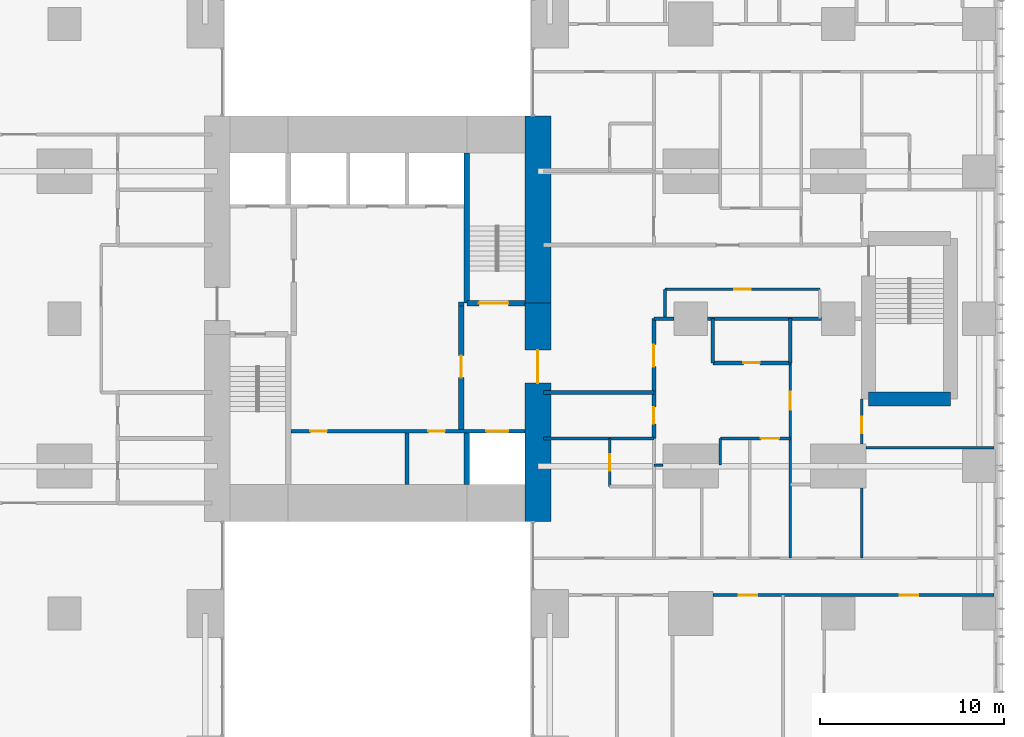
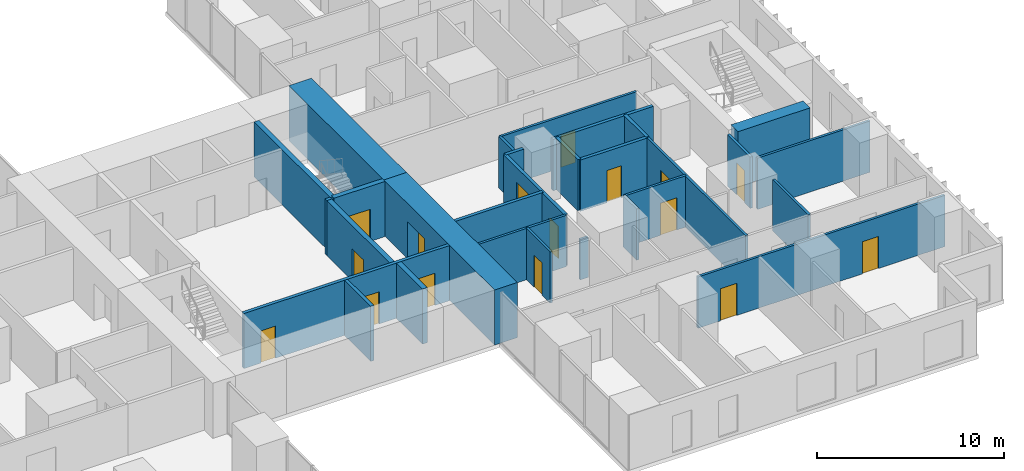
# One storey, part 12 of 16: 29 walls, 16 doors, 16 openings.
"""IFC4 building model written with IfcOpenShell, lengths in metres."""

from ifc_helpers import new_model, si_unit, direction, frame, frame_2d, origin, place, context, subcontext, project, spatial, rectangle, extrude, material, layer, layer_set, type_object, element, fill, save


model = new_model("IFC4")

# Units and contexts
model_context = context("Model", 3, precision=1e-05, world=origin(), true_north=direction((0.0, 1.0)))
body_context = subcontext(model_context, "Body", "Model", "MODEL_VIEW")
ifc_project = project(units=[si_unit("LENGTHUNIT", "METRE"), si_unit("AREAUNIT", "SQUARE_METRE"), si_unit("VOLUMEUNIT", "CUBIC_METRE"), si_unit("PLANEANGLEUNIT", "RADIAN"), si_unit("MASSUNIT", "GRAM", prefix="KILO")], contexts=[model_context])

# Site, building, storey
site_placement = place(None, origin())
site = spatial("IfcSite", under=ifc_project, at=site_placement, CompositionType="ELEMENT")
building_placement = place(site_placement, origin())
building = spatial("IfcBuilding", under=site, at=building_placement, Name="Cleftline Residences", CompositionType="ELEMENT")
storey_placement = place(building_placement, frame((0.0, 0.0, 218.199951171875)))
storey = spatial("IfcBuildingStorey", under=building, at=storey_placement, Name="L57", CompositionType="ELEMENT", Elevation=218.199951171875)

# Wall, opening, door
ifc_material_1 = material(Name="Concrete B70", Category="concrete")
ifc_layer_1 = layer(ifc_material_1, 1.39990234375)
ifc_layer_set_1 = layer_set([ifc_layer_1], Name="CORE WALL 1400")
wall_type_1 = type_object("IfcWallType", Name="CORE WALL 1400", PredefinedType="SHEAR", material=ifc_layer_set_1)
wall_1_placement = place(storey_placement, frame((41.699951171875, 13.0, 0.0), z_axis=(0.0, 0.0, 1.0), x_axis=(0.0, 1.0, 0.0)))
wall_1 = element("IfcWall", 1, at=wall_1_placement, inside=storey, type_object=wall_type_1, Name="Core wall E", PredefinedType="SHEAR", context=body_context, shape_type="SweptSolid", body=[
    extrude(rectangle(XDim=11.85009765625, YDim=1.39990234375, at=frame_2d((5.925048828125, 0.0))), origin(), (0.0, 0.0, 1.0), 3.60009765625),
])
opening_1_placement = place(wall_1_placement, frame((7.5, 0.0, 0.0)))
opening_1 = element("IfcOpeningElement", 2, at=opening_1_placement, cuts=wall_1, Name="Opening D7", PredefinedType="OPENING", context=body_context, shape_type="SweptSolid", body=[
    extrude(rectangle(XDim=1.800048828125, YDim=2.39990234375, at=frame_2d((0.89990234375, 1.199951171875))), frame((0.0, 0.7099609375, 0.0), z_axis=(0.0, -1.0, 0.0), x_axis=(1.0, 0.0, 0.0)), (0.0, 0.0, 1.0), 1.419921875),
])
ifc_material_2 = material(Name="Steel", Category="steel")
door_type_1 = type_object("IfcDoorType", Name="WING DOOR 1800X2400", OperationType="DOUBLE_DOOR_DOUBLE_SWING", PredefinedType="DOOR", material=ifc_material_2)
door_1_placement = place(opening_1_placement, origin())
door_1 = element("IfcDoor", 3, at=door_1_placement, inside=storey, type_object=door_type_1, Name="East wing door", OperationType="DOUBLE_DOOR_DOUBLE_SWING", OverallHeight=2.39990234375, OverallWidth=1.800048828125, PredefinedType="DOOR", context=body_context, shape_type="SweptSolid", body=[
    extrude(rectangle(XDim=1.800048828125, YDim=2.39990234375, at=frame_2d((0.89990234375, 1.199951171875))), frame((0.0, 0.02490234375, 0.0), z_axis=(0.0, -1.0, 0.0), x_axis=(1.0, 0.0, 0.0)), (0.0, 0.0, 1.0), 0.050048828125),
])
fill(opening_1, door_1)

# Walls
wall_2_placement = place(storey_placement, frame((41.699951171875, 24.85009765625, 0.0), z_axis=(0.0, 0.0, 1.0), x_axis=(0.0, 1.0, 0.0)))
element("IfcWall", 4, at=wall_2_placement, inside=storey, type_object=wall_type_1, Name="Core wall E1", PredefinedType="SHEAR", context=body_context, shape_type="SweptSolid", body=[
    extrude(rectangle(XDim=10.14990234375, YDim=1.39990234375, at=frame_2d((5.074951171875, 0.0))), origin(), (0.0, 0.0, 1.0), 3.60009765625),
])
ifc_material_3 = material(Name="Concrete B70", Category="concrete")
ifc_layer_2 = layer(ifc_material_3, 0.300048828125)
ifc_layer_set_2 = layer_set([ifc_layer_2], Name="CORE WALL 300")
wall_type_2 = type_object("IfcWallType", Name="CORE WALL 300", PredefinedType="SHEAR", material=ifc_layer_set_2)
wall_3_placement = place(storey_placement, frame((37.85009765625, 24.85009765625, 0.0), z_axis=(0.0, 0.0, 1.0), x_axis=(0.0, 1.0, 0.0)))
element("IfcWall", 5, at=wall_3_placement, inside=storey, type_object=wall_type_2, Name="Core wall SB-W", PredefinedType="SHEAR", context=body_context, shape_type="SweptSolid", body=[
    extrude(rectangle(XDim=8.14990234375, YDim=0.300048828125, at=frame_2d((4.074951171875, 0.0))), origin(), (0.0, 0.0, 1.0), 3.60009765625),
])

# Wall, opening, door
wall_4_placement = place(storey_placement, frame((37.85009765625, 24.85009765625, 0.0), z_axis=(0.0, 0.0, 1.0), x_axis=(1.0, 0.0, 0.0)))
wall_4 = element("IfcWall", 6, at=wall_4_placement, inside=storey, type_object=wall_type_2, Name="Core wall SB-S", PredefinedType="SHEAR", context=body_context, shape_type="SweptSolid", body=[
    extrude(rectangle(XDim=3.14990234375, YDim=0.300048828125, at=frame_2d((1.574951171875, 0.0))), origin(), (0.0, 0.0, 1.0), 3.60009765625),
])
opening_2_placement = place(wall_4_placement, frame((0.64990234375, 0.0, 0.0)))
opening_2 = element("IfcOpeningElement", 7, at=opening_2_placement, cuts=wall_4, Name="Opening D9", PredefinedType="OPENING", context=body_context, shape_type="SweptSolid", body=[
    extrude(rectangle(XDim=1.60009765625, YDim=2.10009765625, at=frame_2d((0.800048828125, 1.050048828125))), frame((0.0, 0.159912109375, 0.0), z_axis=(0.0, -1.0, 0.0), x_axis=(1.0, 0.0, 0.0)), (0.0, 0.0, 1.0), 0.320068359375),
])
ifc_material_4 = material(Name="Steel", Category="steel")
door_type_2 = type_object("IfcDoorType", Name="STAIR DOOR 1600X2100", OperationType="DOUBLE_DOOR_SINGLE_SWING", PredefinedType="DOOR", material=ifc_material_4)
door_2_placement = place(opening_2_placement, origin())
door_2 = element("IfcDoor", 8, at=door_2_placement, inside=storey, type_object=door_type_2, Name="Stair B door", OperationType="DOUBLE_DOOR_SINGLE_SWING", OverallHeight=2.10009765625, OverallWidth=1.60009765625, PredefinedType="DOOR", context=body_context, shape_type="SweptSolid", body=[
    extrude(rectangle(XDim=1.60009765625, YDim=2.10009765625, at=frame_2d((0.800048828125, 1.050048828125))), frame((0.0, 0.02490234375, 0.0), z_axis=(0.0, -1.0, 0.0), x_axis=(1.0, 0.0, 0.0)), (0.0, 0.0, 1.0), 0.050048828125),
])
fill(opening_2, door_2)

# Walls
wall_5_placement = place(storey_placement, frame((37.85009765625, 15.0, 0.0), z_axis=(0.0, 0.0, 1.0), x_axis=(0.0, 1.0, 0.0)))
element("IfcWall", 9, at=wall_5_placement, inside=storey, type_object=wall_type_2, Name="Lift shaft wall", PredefinedType="SHEAR", context=body_context, shape_type="SweptSolid", body=[
    extrude(rectangle(XDim=2.800048828125, YDim=0.300048828125, at=frame_2d((1.39990234375, 0.0))), origin(), (0.0, 0.0, 1.0), 3.60009765625),
])
ifc_material_5 = material(Name="Concrete blockwork, fire rated", Category="masonry")
ifc_layer_3 = layer(ifc_material_5, 0.199951171875)
ifc_layer_set_3 = layer_set([ifc_layer_3], Name="FIRE WALL 200")
wall_type_3 = type_object("IfcWallType", Name="FIRE WALL 200", PredefinedType="PARTITIONING", material=ifc_layer_set_3)
wall_6_placement = place(storey_placement, frame((42.0, 20.0, 0.0), z_axis=(0.0, 0.0, 1.0), x_axis=(1.0, 0.0, 0.0)))
element("IfcWall", 10, at=wall_6_placement, inside=storey, type_object=wall_type_3, Name="Fire separating wall", PredefinedType="PARTITIONING", context=body_context, shape_type="SweptSolid", body=[
    extrude(rectangle(XDim=6.0, YDim=0.199951171875, at=frame_2d((3.0, 0.0))), origin(), (0.0, 0.0, 1.0), 3.35009765625),
])

# Wall, opening, door
wall_7_placement = place(storey_placement, frame((51.199951171875, 21.60009765625, 0.0), z_axis=(0.0, 0.0, 1.0), x_axis=(1.0, 0.0, 0.0)))
wall_7 = element("IfcWall", 11, at=wall_7_placement, inside=storey, type_object=wall_type_3, Name="Fire separating wall", PredefinedType="PARTITIONING", context=body_context, shape_type="SweptSolid", body=[
    extrude(rectangle(XDim=4.199951171875, YDim=0.199951171875, at=frame_2d((2.10009765625, 0.0))), origin(), (0.0, 0.0, 1.0), 3.35009765625),
])
opening_3_placement = place(wall_7_placement, frame((1.64990234375, 0.0, 0.0)))
opening_3 = element("IfcOpeningElement", 12, at=opening_3_placement, cuts=wall_7, Name="Opening D1F30", PredefinedType="OPENING", context=body_context, shape_type="SweptSolid", body=[
    extrude(rectangle(XDim=0.89990234375, YDim=2.10009765625, at=frame_2d((0.449951171875, 1.050048828125))), frame((0.0, 0.10986328125, 0.0), z_axis=(0.0, -1.0, 0.0), x_axis=(1.0, 0.0, 0.0)), (0.0, 0.0, 1.0), 0.219970703125),
])
ifc_material_6 = material(Name="Timber veneer on solid core", Category="wood")
door_type_3 = type_object("IfcDoorType", Name="DOOR 900X2100 EI 30", OperationType="SINGLE_SWING_LEFT", PredefinedType="DOOR", material=ifc_material_6)
door_3_placement = place(opening_3_placement, origin())
door_3 = element("IfcDoor", 13, at=door_3_placement, inside=storey, type_object=door_type_3, Name="Door to cloakroom wc", OperationType="SINGLE_SWING_LEFT", OverallHeight=2.10009765625, OverallWidth=0.89990234375, PredefinedType="DOOR", context=body_context, shape_type="SweptSolid", body=[
    extrude(rectangle(XDim=0.89990234375, YDim=2.10009765625, at=frame_2d((0.449951171875, 1.050048828125))), frame((0.0, 0.02490234375, 0.0), z_axis=(0.0, -1.0, 0.0), x_axis=(1.0, 0.0, 0.0)), (0.0, 0.0, 1.0), 0.050048828125),
])
fill(opening_3, door_3)

# Walls
wall_8_placement = place(storey_placement, frame((48.0, 24.0, 0.0), z_axis=(0.0, 0.0, 1.0), x_axis=(1.0, 0.0, 0.0)))
element("IfcWall", 14, at=wall_8_placement, inside=storey, type_object=wall_type_3, Name="Fire separating wall", PredefinedType="PARTITIONING", context=body_context, shape_type="SweptSolid", body=[
    extrude(rectangle(XDim=1.10009765625, YDim=0.199951171875, at=frame_2d((0.550048828125, 0.0))), origin(), (0.0, 0.0, 1.0), 3.35009765625),
])
wall_9_placement = place(storey_placement, frame((50.89990234375, 24.0, 0.0), z_axis=(0.0, 0.0, 1.0), x_axis=(1.0, 0.0, 0.0)))
element("IfcWall", 15, at=wall_9_placement, inside=storey, type_object=wall_type_3, Name="Fire separating wall", PredefinedType="PARTITIONING", context=body_context, shape_type="SweptSolid", body=[
    extrude(rectangle(XDim=6.2001953125, YDim=0.199951171875, at=frame_2d((3.10009765625, 0.0))), origin(), (0.0, 0.0, 1.0), 3.35009765625),
])

# Wall, openings, doors
wall_10_placement = place(storey_placement, frame((48.0, 17.5, 0.0), z_axis=(0.0, 0.0, 1.0), x_axis=(0.0, 1.0, 0.0)))
wall_10 = element("IfcWall", 16, at=wall_10_placement, inside=storey, type_object=wall_type_3, Name="Fire separating wall", PredefinedType="PARTITIONING", context=body_context, shape_type="SweptSolid", body=[
    extrude(rectangle(XDim=6.5, YDim=0.199951171875, at=frame_2d((3.25, 0.0))), origin(), (0.0, 0.0, 1.0), 3.35009765625),
])
opening_4_placement = place(wall_10_placement, frame((3.89990234375, 0.0, 0.0)))
opening_4 = element("IfcOpeningElement", 17, at=opening_4_placement, cuts=wall_10, Name="Opening D4", PredefinedType="OPENING", context=body_context, shape_type="SweptSolid", body=[
    extrude(rectangle(XDim=1.199951171875, YDim=2.39990234375, at=frame_2d((0.60009765625, 1.199951171875))), frame((0.0, 0.10986328125, 0.0), z_axis=(0.0, -1.0, 0.0), x_axis=(1.0, 0.0, 0.0)), (0.0, 0.0, 1.0), 0.219970703125),
])
opening_5_placement = place(wall_10_placement, frame((0.800048828125, 0.0, 0.0)))
opening_5 = element("IfcOpeningElement", 18, at=opening_5_placement, cuts=wall_10, Name="Opening D1F30", PredefinedType="OPENING", context=body_context, shape_type="SweptSolid", body=[
    extrude(rectangle(XDim=0.89990234375, YDim=2.10009765625, at=frame_2d((0.449951171875, 1.050048828125))), frame((0.0, 0.10986328125, 0.0), z_axis=(0.0, -1.0, 0.0), x_axis=(1.0, 0.0, 0.0)), (0.0, 0.0, 1.0), 0.219970703125),
])
ifc_material_7 = material(Name="Timber veneer on solid core", Category="wood")
door_type_4 = type_object("IfcDoorType", Name="APARTMENT ENTRANCE DOOR 1200X2400", OperationType="SINGLE_SWING_RIGHT", PredefinedType="DOOR", material=ifc_material_7)
door_4_placement = place(opening_4_placement, origin())
door_4 = element("IfcDoor", 19, at=door_4_placement, inside=storey, type_object=door_type_4, Name="Door to residence entrance foyer", OperationType="SINGLE_SWING_LEFT", OverallHeight=2.39990234375, OverallWidth=1.199951171875, PredefinedType="DOOR", context=body_context, shape_type="SweptSolid", body=[
    extrude(rectangle(XDim=1.199951171875, YDim=2.39990234375, at=frame_2d((0.60009765625, 1.199951171875))), frame((0.0, 0.02490234375, 0.0), z_axis=(0.0, -1.0, 0.0), x_axis=(1.0, 0.0, 0.0)), (0.0, 0.0, 1.0), 0.050048828125),
])
fill(opening_4, door_4)
door_5_placement = place(opening_5_placement, origin())
door_5 = element("IfcDoor", 20, at=door_5_placement, inside=storey, type_object=door_type_3, Name="Door to utility room", OperationType="SINGLE_SWING_RIGHT", OverallHeight=2.10009765625, OverallWidth=0.89990234375, PredefinedType="DOOR", context=body_context, shape_type="SweptSolid", body=[
    extrude(rectangle(XDim=0.89990234375, YDim=2.10009765625, at=frame_2d((0.449951171875, 1.050048828125))), frame((0.0, 0.02490234375, 0.0), z_axis=(0.0, -1.0, 0.0), x_axis=(1.0, 0.0, 0.0)), (0.0, 0.0, 1.0), 0.050048828125),
])
fill(opening_5, door_5)

# Walls
for number, where, z_axis, x_axis, name in (
    (21, (51.199951171875, 21.60009765625, 0.0), (0.0, 0.0, 1.0), (0.0, 1.0, 0.0), "Fire separating wall"),
    (22, (55.39990234375, 21.60009765625, 0.0), (0.0, 0.0, 1.0), (0.0, 1.0, 0.0), "Fire separating wall"),
):
    element("IfcWall", number, at=place(storey_placement, frame(where, z_axis=z_axis, x_axis=x_axis)), inside=storey, type_object=wall_type_3, Name=name, PredefinedType="PARTITIONING", context=body_context, shape_type="SweptSolid", body=[
        extrude(rectangle(XDim=2.39990234375, YDim=0.199951171875, at=frame_2d((1.199951171875, 0.0))), origin(), (0.0, 0.0, 1.0), 3.35009765625),
    ])
wall_11_placement = place(storey_placement, frame((37.39990234375, 24.800048828125, 0.0), z_axis=(0.0, 0.0, 1.0), x_axis=(1.0, 0.0, 0.0)))
element("IfcWall", 23, at=wall_11_placement, inside=storey, type_object=wall_type_3, Name="Fire separating wall", PredefinedType="PARTITIONING", context=body_context, shape_type="SweptSolid", body=[
    extrude(rectangle(XDim=0.300048828125, YDim=0.199951171875, at=frame_2d((0.14990234375, 0.0))), origin(), (0.0, 0.0, 1.0), 3.60009765625),
])

# Wall, openings, doors
ifc_material_8 = material(Name="Gypsum board on steel studs", Category="steel")
ifc_layer_4 = layer(ifc_material_8, 0.14990234375)
ifc_layer_set_4 = layer_set([ifc_layer_4], Name="PARTITION 150")
wall_type_4 = type_object("IfcWallType", Name="PARTITION 150", PredefinedType="PARTITIONING", material=ifc_layer_set_4)
wall_12_placement = place(storey_placement, frame((51.199951171875, 9.0, 0.0), z_axis=(0.0, 0.0, 1.0), x_axis=(1.0, 0.0, 0.0)))
wall_12 = element("IfcWall", 24, at=wall_12_placement, inside=storey, type_object=wall_type_4, Name="Partition", PredefinedType="PARTITIONING", context=body_context, shape_type="SweptSolid", body=[
    extrude(rectangle(XDim=15.25, YDim=0.14990234375, at=frame_2d((7.625, 0.0))), origin(), (0.0, 0.0, 1.0), 3.35009765625),
])
opening_6_placement = place(wall_12_placement, frame((10.14990234375, 0.0, 0.0)))
opening_6 = element("IfcOpeningElement", 25, at=opening_6_placement, cuts=wall_12, Name="Opening D2", PredefinedType="OPENING", context=body_context, shape_type="SweptSolid", body=[
    extrude(rectangle(XDim=1.0, YDim=2.10009765625, at=frame_2d((0.5, 1.050048828125))), frame((0.0, 0.0849609375, 0.0), z_axis=(0.0, -1.0, 0.0), x_axis=(1.0, 0.0, 0.0)), (0.0, 0.0, 1.0), 0.169921875),
])
opening_7_placement = place(wall_12_placement, frame((1.39990234375, 0.0, 0.0)))
opening_7 = element("IfcOpeningElement", 26, at=opening_7_placement, cuts=wall_12, Name="Opening D2", PredefinedType="OPENING", context=body_context, shape_type="SweptSolid", body=[
    extrude(rectangle(XDim=1.0, YDim=2.10009765625, at=frame_2d((0.5, 1.050048828125))), frame((0.0, 0.0849609375, 0.0), z_axis=(0.0, -1.0, 0.0), x_axis=(1.0, 0.0, 0.0)), (0.0, 0.0, 1.0), 0.169921875),
])
ifc_material_9 = material(Name="Timber veneer on solid core", Category="wood")
door_type_5 = type_object("IfcDoorType", Name="DOOR 1000X2100", OperationType="SINGLE_SWING_LEFT", PredefinedType="DOOR", material=ifc_material_9)
door_6_placement = place(opening_6_placement, origin())
door_6 = element("IfcDoor", 27, at=door_6_placement, inside=storey, type_object=door_type_5, Name="Door to sea-view living room", OperationType="SINGLE_SWING_LEFT", OverallHeight=2.10009765625, OverallWidth=1.0, PredefinedType="DOOR", context=body_context, shape_type="SweptSolid", body=[
    extrude(rectangle(XDim=1.0, YDim=2.10009765625, at=frame_2d((0.5, 1.050048828125))), frame((0.0, 0.02490234375, 0.0), z_axis=(0.0, -1.0, 0.0), x_axis=(1.0, 0.0, 0.0)), (0.0, 0.0, 1.0), 0.050048828125),
])
fill(opening_6, door_6)
door_7_placement = place(opening_7_placement, origin())
door_7 = element("IfcDoor", 28, at=door_7_placement, inside=storey, type_object=door_type_5, Name="Door to dining room", OperationType="SINGLE_SWING_RIGHT", OverallHeight=2.10009765625, OverallWidth=1.0, PredefinedType="DOOR", context=body_context, shape_type="SweptSolid", body=[
    extrude(rectangle(XDim=1.0, YDim=2.10009765625, at=frame_2d((0.5, 1.050048828125))), frame((0.0, 0.02490234375, 0.0), z_axis=(0.0, -1.0, 0.0), x_axis=(1.0, 0.0, 0.0)), (0.0, 0.0, 1.0), 0.050048828125),
])
fill(opening_7, door_7)

# Walls
wall_13_placement = place(storey_placement, frame((48.0, 16.050048828125, 0.0), z_axis=(0.0, 0.0, 1.0), x_axis=(1.0, 0.0, 0.0)))
element("IfcWall", 29, at=wall_13_placement, inside=storey, type_object=wall_type_4, Name="Partition", PredefinedType="PARTITIONING", context=body_context, shape_type="SweptSolid", body=[
    extrude(rectangle(XDim=0.5, YDim=0.14990234375, at=frame_2d((0.25, 0.0))), origin(), (0.0, 0.0, 1.0), 2.634033203125),
])
wall_14_placement = place(storey_placement, frame((59.5, 17.0, 0.0), z_axis=(0.0, 0.0, 1.0), x_axis=(1.0, 0.0, 0.0)))
element("IfcWall", 30, at=wall_14_placement, inside=storey, type_object=wall_type_4, Name="Partition", PredefinedType="PARTITIONING", context=body_context, shape_type="SweptSolid", body=[
    extrude(rectangle(XDim=6.949951171875, YDim=0.14990234375, at=frame_2d((3.47509765625, 0.0))), origin(), (0.0, 0.0, 1.0), 3.35009765625),
])
wall_15_placement = place(storey_placement, frame((42.0, 17.5, 0.0), z_axis=(0.0, 0.0, 1.0), x_axis=(1.0, 0.0, 0.0)))
element("IfcWall", 31, at=wall_15_placement, inside=storey, type_object=wall_type_4, Name="Partition", PredefinedType="PARTITIONING", context=body_context, shape_type="SweptSolid", body=[
    extrude(rectangle(XDim=6.0, YDim=0.14990234375, at=frame_2d((3.0, 0.0))), origin(), (0.0, 0.0, 1.0), 3.35009765625),
])

# Wall, opening, door
wall_16_placement = place(storey_placement, frame((51.60009765625, 17.5, 0.0), z_axis=(0.0, 0.0, 1.0), x_axis=(1.0, 0.0, 0.0)))
wall_16 = element("IfcWall", 32, at=wall_16_placement, inside=storey, type_object=wall_type_4, Name="Partition", PredefinedType="PARTITIONING", context=body_context, shape_type="SweptSolid", body=[
    extrude(rectangle(XDim=3.7998046875, YDim=0.14990234375, at=frame_2d((1.89990234375, 0.0))), origin(), (0.0, 0.0, 1.0), 3.35009765625),
])
opening_8_placement = place(wall_16_placement, frame((2.199951171875, 0.0, 0.0)))
opening_8 = element("IfcOpeningElement", 33, at=opening_8_placement, cuts=wall_16, Name="Opening D2", PredefinedType="OPENING", context=body_context, shape_type="SweptSolid", body=[
    extrude(rectangle(XDim=1.0, YDim=2.10009765625, at=frame_2d((0.5, 1.050048828125))), frame((0.0, 0.0849609375, 0.0), z_axis=(0.0, -1.0, 0.0), x_axis=(1.0, 0.0, 0.0)), (0.0, 0.0, 1.0), 0.169921875),
])
door_8_placement = place(opening_8_placement, origin())
door_8 = element("IfcDoor", 34, at=door_8_placement, inside=storey, type_object=door_type_5, Name="Door to residence passage", OperationType="SINGLE_SWING_LEFT", OverallHeight=2.10009765625, OverallWidth=1.0, PredefinedType="DOOR", context=body_context, shape_type="SweptSolid", body=[
    extrude(rectangle(XDim=1.0, YDim=2.10009765625, at=frame_2d((0.5, 1.050048828125))), frame((0.0, 0.02490234375, 0.0), z_axis=(0.0, -1.0, 0.0), x_axis=(1.0, 0.0, 0.0)), (0.0, 0.0, 1.0), 0.050048828125),
])
fill(opening_8, door_8)

wall_17_placement = place(storey_placement, frame((48.60009765625, 25.60009765625, 0.0), z_axis=(0.0, 0.0, 1.0), x_axis=(1.0, 0.0, 0.0)))
wall_17 = element("IfcWall", 35, at=wall_17_placement, inside=storey, type_object=wall_type_4, Name="Partition", PredefinedType="PARTITIONING", context=body_context, shape_type="SweptSolid", body=[
    extrude(rectangle(XDim=8.39990234375, YDim=0.14990234375, at=frame_2d((4.199951171875, 0.0))), origin(), (0.0, 0.0, 1.0), 3.35009765625),
])
opening_9_placement = place(wall_17_placement, frame((3.75, 0.0, 0.0)))
opening_9 = element("IfcOpeningElement", 36, at=opening_9_placement, cuts=wall_17, Name="Opening D1", PredefinedType="OPENING", context=body_context, shape_type="SweptSolid", body=[
    extrude(rectangle(XDim=0.89990234375, YDim=2.10009765625, at=frame_2d((0.449951171875, 1.050048828125))), frame((0.0, 0.0849609375, 0.0), z_axis=(0.0, -1.0, 0.0), x_axis=(1.0, 0.0, 0.0)), (0.0, 0.0, 1.0), 0.169921875),
])
ifc_material_10 = material(Name="Timber veneer on solid core", Category="wood")
door_type_6 = type_object("IfcDoorType", Name="DOOR 900X2100", OperationType="SINGLE_SWING_LEFT", PredefinedType="DOOR", material=ifc_material_10)
door_9_placement = place(opening_9_placement, origin())
door_9 = element("IfcDoor", 37, at=door_9_placement, inside=storey, type_object=door_type_6, Name="Door to residents' locker room", OperationType="SINGLE_SWING_LEFT", OverallHeight=2.10009765625, OverallWidth=0.89990234375, PredefinedType="DOOR", context=body_context, shape_type="SweptSolid", body=[
    extrude(rectangle(XDim=0.89990234375, YDim=2.10009765625, at=frame_2d((0.449951171875, 1.050048828125))), frame((0.0, 0.02490234375, 0.0), z_axis=(0.0, -1.0, 0.0), x_axis=(1.0, 0.0, 0.0)), (0.0, 0.0, 1.0), 0.050048828125),
])
fill(opening_9, door_9)

wall_18_placement = place(storey_placement, frame((45.60009765625, 14.89990234375, 0.0), z_axis=(0.0, 0.0, 1.0), x_axis=(0.0, 1.0, 0.0)))
wall_18 = element("IfcWall", 38, at=wall_18_placement, inside=storey, type_object=wall_type_4, Name="Partition", PredefinedType="PARTITIONING", context=body_context, shape_type="SweptSolid", body=[
    extrude(rectangle(XDim=2.60009765625, YDim=0.14990234375, at=frame_2d((1.300048828125, 0.0))), origin(), (0.0, 0.0, 1.0), 3.35009765625),
])
opening_10_placement = place(wall_18_placement, frame((0.85009765625, 0.0, 0.0)))
opening_10 = element("IfcOpeningElement", 39, at=opening_10_placement, cuts=wall_18, Name="Opening D1", PredefinedType="OPENING", context=body_context, shape_type="SweptSolid", body=[
    extrude(rectangle(XDim=0.89990234375, YDim=2.10009765625, at=frame_2d((0.449951171875, 1.050048828125))), frame((0.0, 0.0849609375, 0.0), z_axis=(0.0, -1.0, 0.0), x_axis=(1.0, 0.0, 0.0)), (0.0, 0.0, 1.0), 0.169921875),
])
door_10_placement = place(opening_10_placement, origin())
door_10 = element("IfcDoor", 40, at=door_10_placement, inside=storey, type_object=door_type_6, Name="Door to staff shower room", OperationType="SINGLE_SWING_LEFT", OverallHeight=2.10009765625, OverallWidth=0.89990234375, PredefinedType="DOOR", context=body_context, shape_type="SweptSolid", body=[
    extrude(rectangle(XDim=0.89990234375, YDim=2.10009765625, at=frame_2d((0.449951171875, 1.050048828125))), frame((0.0, 0.02490234375, 0.0), z_axis=(0.0, -1.0, 0.0), x_axis=(1.0, 0.0, 0.0)), (0.0, 0.0, 1.0), 0.050048828125),
])
fill(opening_10, door_10)

# Walls
wall_19_placement = place(storey_placement, frame((48.60009765625, 24.0, 0.0), z_axis=(0.0, 0.0, 1.0), x_axis=(0.0, 1.0, 0.0)))
element("IfcWall", 41, at=wall_19_placement, inside=storey, type_object=wall_type_4, Name="Partition", PredefinedType="PARTITIONING", context=body_context, shape_type="SweptSolid", body=[
    extrude(rectangle(XDim=1.60009765625, YDim=0.14990234375, at=frame_2d((0.800048828125, 0.0))), origin(), (0.0, 0.0, 1.0), 3.35009765625),
])
wall_20_placement = place(storey_placement, frame((51.60009765625, 16.050048828125, 0.0), z_axis=(0.0, 0.0, 1.0), x_axis=(0.0, 1.0, 0.0)))
element("IfcWall", 42, at=wall_20_placement, inside=storey, type_object=wall_type_4, Name="Partition", PredefinedType="PARTITIONING", context=body_context, shape_type="SweptSolid", body=[
    extrude(rectangle(XDim=1.449951171875, YDim=0.14990234375, at=frame_2d((0.72509765625, 0.0))), origin(), (0.0, 0.0, 1.0), 3.35009765625),
])

# Wall, opening, door
wall_21_placement = place(storey_placement, frame((55.39990234375, 11.0, 0.0), z_axis=(0.0, 0.0, 1.0), x_axis=(0.0, 1.0, 0.0)))
wall_21 = element("IfcWall", 43, at=wall_21_placement, inside=storey, type_object=wall_type_4, Name="Partition", PredefinedType="PARTITIONING", context=body_context, shape_type="SweptSolid", body=[
    extrude(rectangle(XDim=10.60009765625, YDim=0.14990234375, at=frame_2d((5.300048828125, 0.0))), origin(), (0.0, 0.0, 1.0), 3.35009765625),
])
opening_11_placement = place(wall_21_placement, frame((8.050048828125, 0.0, 0.0)))
opening_11 = element("IfcOpeningElement", 44, at=opening_11_placement, cuts=wall_21, Name="Opening D2F30", PredefinedType="OPENING", context=body_context, shape_type="SweptSolid", body=[
    extrude(rectangle(XDim=1.0, YDim=2.10009765625, at=frame_2d((0.5, 1.050048828125))), frame((0.0, 0.0849609375, 0.0), z_axis=(0.0, -1.0, 0.0), x_axis=(1.0, 0.0, 0.0)), (0.0, 0.0, 1.0), 0.169921875),
])
ifc_material_11 = material(Name="Timber veneer on solid core", Category="wood")
door_type_7 = type_object("IfcDoorType", Name="DOOR 1000X2100 EI 30", OperationType="SINGLE_SWING_LEFT", PredefinedType="DOOR", material=ifc_material_11)
door_11_placement = place(opening_11_placement, origin())
door_11 = element("IfcDoor", 45, at=door_11_placement, inside=storey, type_object=door_type_7, Name="Door to residence lobby", OperationType="SINGLE_SWING_LEFT", OverallHeight=2.10009765625, OverallWidth=1.0, PredefinedType="DOOR", context=body_context, shape_type="SweptSolid", body=[
    extrude(rectangle(XDim=1.0, YDim=2.10009765625, at=frame_2d((0.5, 1.050048828125))), frame((0.0, 0.02490234375, 0.0), z_axis=(0.0, -1.0, 0.0), x_axis=(1.0, 0.0, 0.0)), (0.0, 0.0, 1.0), 0.050048828125),
])
fill(opening_11, door_11)

# Wall
wall_22_placement = place(storey_placement, frame((59.27490234375, 11.0, 0.0), z_axis=(0.0, 0.0, 1.0), x_axis=(0.0, 1.0, 0.0)))
element("IfcWall", 46, at=wall_22_placement, inside=storey, type_object=wall_type_4, Name="Partition", PredefinedType="PARTITIONING", context=body_context, shape_type="SweptSolid", body=[
    extrude(rectangle(XDim=3.800048828125, YDim=0.14990234375, at=frame_2d((1.89990234375, 0.0))), origin(), (0.0, 0.0, 1.0), 3.35009765625),
])

# Wall, opening, door
wall_23_placement = place(storey_placement, frame((59.27490234375, 17.199951171875, 0.0), z_axis=(0.0, 0.0, 1.0), x_axis=(0.0, 1.0, 0.0)))
wall_23 = element("IfcWall", 47, at=wall_23_placement, inside=storey, type_object=wall_type_4, Name="Partition", PredefinedType="PARTITIONING", context=body_context, shape_type="SweptSolid", body=[
    extrude(rectangle(XDim=2.449951171875, YDim=0.14990234375, at=frame_2d((1.22509765625, 0.0))), origin(), (0.0, 0.0, 1.0), 3.35009765625),
])
opening_12_placement = place(wall_23_placement, frame((0.58740234375, 0.0, 0.0)))
opening_12 = element("IfcOpeningElement", 48, at=opening_12_placement, cuts=wall_23, Name="Opening D1", PredefinedType="OPENING", context=body_context, shape_type="SweptSolid", body=[
    extrude(rectangle(XDim=0.89990234375, YDim=2.10009765625, at=frame_2d((0.449951171875, 1.050048828125))), frame((0.0, 0.0849609375, 0.0), z_axis=(0.0, -1.0, 0.0), x_axis=(1.0, 0.0, 0.0)), (0.0, 0.0, 1.0), 0.169921875),
])
door_12_placement = place(opening_12_placement, origin())
door_12 = element("IfcDoor", 49, at=door_12_placement, inside=storey, type_object=door_type_6, Name="Door to drying loggia", OperationType="SINGLE_SWING_RIGHT", OverallHeight=2.10009765625, OverallWidth=0.89990234375, PredefinedType="DOOR", context=body_context, shape_type="SweptSolid", body=[
    extrude(rectangle(XDim=0.89990234375, YDim=2.10009765625, at=frame_2d((0.449951171875, 1.050048828125))), frame((0.0, 0.02490234375, 0.0), z_axis=(0.0, -1.0, 0.0), x_axis=(1.0, 0.0, 0.0)), (0.0, 0.0, 1.0), 0.050048828125),
])
fill(opening_12, door_12)

# Wall, openings, doors
ifc_material_12 = material(Name="Concrete blockwork, fire rated", Category="masonry")
ifc_layer_5 = layer(ifc_material_12, 0.199951171875)
ifc_layer_set_5 = layer_set([ifc_layer_5], Name="SHAFT WALL 200")
wall_type_5 = type_object("IfcWallType", Name="SHAFT WALL 200", PredefinedType="PARTITIONING", material=ifc_layer_set_5)
wall_24_placement = place(storey_placement, frame((28.300048828125, 17.89990234375, 0.0), z_axis=(0.0, 0.0, 1.0), x_axis=(1.0, 0.0, 0.0)))
wall_24 = element("IfcWall", 50, at=wall_24_placement, inside=storey, type_object=wall_type_5, Name="Core room wall", PredefinedType="PARTITIONING", context=body_context, shape_type="SweptSolid", body=[
    extrude(rectangle(XDim=12.699951171875, YDim=0.199951171875, at=frame_2d((6.35009765625, 0.0))), origin(), (0.0, 0.0, 1.0), 3.60009765625),
])
opening_13_placement = place(wall_24_placement, frame((1.050048828125, 0.0, 0.0)))
opening_13 = element("IfcOpeningElement", 51, at=opening_13_placement, cuts=wall_24, Name="Opening D1F30", PredefinedType="OPENING", context=body_context, shape_type="SweptSolid", body=[
    extrude(rectangle(XDim=0.89990234375, YDim=2.10009765625, at=frame_2d((0.449951171875, 1.050048828125))), frame((0.0, 0.10986328125, 0.0), z_axis=(0.0, -1.0, 0.0), x_axis=(1.0, 0.0, 0.0)), (0.0, 0.0, 1.0), 0.219970703125),
])
opening_14_placement = place(wall_24_placement, frame((7.449951171875, 0.0, 0.0)))
opening_14 = element("IfcOpeningElement", 52, at=opening_14_placement, cuts=wall_24, Name="Opening D1F30", PredefinedType="OPENING", context=body_context, shape_type="SweptSolid", body=[
    extrude(rectangle(XDim=0.89990234375, YDim=2.10009765625, at=frame_2d((0.449951171875, 1.050048828125))), frame((0.0, 0.10986328125, 0.0), z_axis=(0.0, -1.0, 0.0), x_axis=(1.0, 0.0, 0.0)), (0.0, 0.0, 1.0), 0.219970703125),
])
opening_15_placement = place(wall_24_placement, frame((10.60009765625, 0.0, 0.0)))
opening_15 = element("IfcOpeningElement", 53, at=opening_15_placement, cuts=wall_24, Name="Opening LD2", PredefinedType="OPENING", context=body_context, shape_type="SweptSolid", body=[
    extrude(rectangle(XDim=1.199951171875, YDim=2.10009765625, at=frame_2d((0.60009765625, 1.050048828125))), frame((0.0, 0.10986328125, 0.0), z_axis=(0.0, -1.0, 0.0), x_axis=(1.0, 0.0, 0.0)), (0.0, 0.0, 1.0), 0.219970703125),
])
door_13_placement = place(opening_13_placement, origin())
door_13 = element("IfcDoor", 54, at=door_13_placement, inside=storey, type_object=door_type_3, Name="Door to housekeeping pantry", OperationType="SINGLE_SWING_RIGHT", OverallHeight=2.10009765625, OverallWidth=0.89990234375, PredefinedType="DOOR", context=body_context, shape_type="SweptSolid", body=[
    extrude(rectangle(XDim=0.89990234375, YDim=2.10009765625, at=frame_2d((0.449951171875, 1.050048828125))), frame((0.0, 0.02490234375, 0.0), z_axis=(0.0, -1.0, 0.0), x_axis=(1.0, 0.0, 0.0)), (0.0, 0.0, 1.0), 0.050048828125),
])
fill(opening_13, door_13)
door_14_placement = place(opening_14_placement, origin())
door_14 = element("IfcDoor", 55, at=door_14_placement, inside=storey, type_object=door_type_3, Name="Door to housekeeping store", OperationType="SINGLE_SWING_LEFT", OverallHeight=2.10009765625, OverallWidth=0.89990234375, PredefinedType="DOOR", context=body_context, shape_type="SweptSolid", body=[
    extrude(rectangle(XDim=0.89990234375, YDim=2.10009765625, at=frame_2d((0.449951171875, 1.050048828125))), frame((0.0, 0.02490234375, 0.0), z_axis=(0.0, -1.0, 0.0), x_axis=(1.0, 0.0, 0.0)), (0.0, 0.0, 1.0), 0.050048828125),
])
fill(opening_14, door_14)
ifc_material_13 = material(Name="Steel", Category="steel")
door_type_8 = type_object("IfcDoorType", Name="FIREFIGHTING LIFT LANDING DOOR 1200X2100", OperationType="SLIDING_TO_LEFT", PredefinedType="DOOR", material=ifc_material_13)
door_15_placement = place(opening_15_placement, origin())
door_15 = element("IfcDoor", 56, at=door_15_placement, inside=storey, type_object=door_type_8, Name="Lift FL2 landing door", OperationType="SLIDING_TO_LEFT", OverallHeight=2.10009765625, OverallWidth=1.199951171875, PredefinedType="DOOR", context=body_context, shape_type="SweptSolid", body=[
    extrude(rectangle(XDim=1.199951171875, YDim=2.10009765625, at=frame_2d((0.60009765625, 1.050048828125))), frame((0.0, 0.02490234375, 0.0), z_axis=(0.0, -1.0, 0.0), x_axis=(1.0, 0.0, 0.0)), (0.0, 0.0, 1.0), 0.050048828125),
])
fill(opening_15, door_15)

# Walls
wall_25_placement = place(storey_placement, frame((34.60009765625, 15.0, 0.0), z_axis=(0.0, 0.0, 1.0), x_axis=(0.0, 1.0, 0.0)))
element("IfcWall", 57, at=wall_25_placement, inside=storey, type_object=wall_type_5, Name="Core room wall", PredefinedType="PARTITIONING", context=body_context, shape_type="SweptSolid", body=[
    extrude(rectangle(XDim=2.800048828125, YDim=0.199951171875, at=frame_2d((1.39990234375, 0.0))), origin(), (0.0, 0.0, 1.0), 3.60009765625),
])
ifc_material_14 = material(Name="Concrete B70", Category="concrete")
ifc_layer_6 = layer(ifc_material_14, 0.75)
ifc_layer_set_6 = layer_set([ifc_layer_6], Name="SHEAR WALL 750")
wall_type_6 = type_object("IfcWallType", Name="SHEAR WALL 750", PredefinedType="SHEAR", material=ifc_layer_set_6)
wall_26_placement = place(storey_placement, frame((59.64990234375, 19.64990234375, 0.0), z_axis=(0.0, 0.0, 1.0), x_axis=(1.0, 0.0, 0.0)))
element("IfcWall", 58, at=wall_26_placement, inside=storey, type_object=wall_type_6, Name="Wing shear wall", PredefinedType="SHEAR", context=body_context, shape_type="SweptSolid", body=[
    extrude(rectangle(XDim=4.4501953125, YDim=0.75, at=frame_2d((2.22509765625, 0.0))), origin(), (0.0, 0.0, 1.0), 3.60009765625),
])

# Wall, opening, door
ifc_material_15 = material(Name="Concrete blockwork, fire rated", Category="masonry")
ifc_layer_7 = layer(ifc_material_15, 0.300048828125)
ifc_layer_set_7 = layer_set([ifc_layer_7], Name="STAIR LOBBY WALL 300")
wall_type_7 = type_object("IfcWallType", Name="STAIR LOBBY WALL 300", PredefinedType="PARTITIONING", material=ifc_layer_set_7)
wall_27_placement = place(storey_placement, frame((37.550048828125, 18.0, 0.0), z_axis=(0.0, 0.0, 1.0), x_axis=(0.0, 1.0, 0.0)))
wall_27 = element("IfcWall", 59, at=wall_27_placement, inside=storey, type_object=wall_type_7, Name="Stair and lobby wall FB-W", PredefinedType="PARTITIONING", context=body_context, shape_type="SweptSolid", body=[
    extrude(rectangle(XDim=6.699951171875, YDim=0.300048828125, at=frame_2d((3.35009765625, 0.0))), origin(), (0.0, 0.0, 1.0), 3.60009765625),
])
opening_16_placement = place(wall_27_placement, frame((2.800048828125, 0.0, 0.0)))
opening_16 = element("IfcOpeningElement", 60, at=opening_16_placement, cuts=wall_27, Name="Opening D6", PredefinedType="OPENING", context=body_context, shape_type="SweptSolid", body=[
    extrude(rectangle(XDim=1.199951171875, YDim=2.10009765625, at=frame_2d((0.60009765625, 1.050048828125))), frame((0.0, 0.159912109375, 0.0), z_axis=(0.0, -1.0, 0.0), x_axis=(1.0, 0.0, 0.0)), (0.0, 0.0, 1.0), 0.320068359375),
])
ifc_material_16 = material(Name="Steel", Category="steel")
door_type_9 = type_object("IfcDoorType", Name="LOBBY DOOR 1200X2100", OperationType="SINGLE_SWING_RIGHT", PredefinedType="DOOR", material=ifc_material_16)
door_16_placement = place(opening_16_placement, origin())
door_16 = element("IfcDoor", 61, at=door_16_placement, inside=storey, type_object=door_type_9, Name="Firefighting lobby B door", OperationType="SINGLE_SWING_LEFT", OverallHeight=2.10009765625, OverallWidth=1.199951171875, PredefinedType="DOOR", context=body_context, shape_type="SweptSolid", body=[
    extrude(rectangle(XDim=1.199951171875, YDim=2.10009765625, at=frame_2d((0.60009765625, 1.050048828125))), frame((0.0, 0.02490234375, 0.0), z_axis=(0.0, -1.0, 0.0), x_axis=(1.0, 0.0, 0.0)), (0.0, 0.0, 1.0), 0.050048828125),
])
fill(opening_16, door_16)

save(model, "model.ifc")
